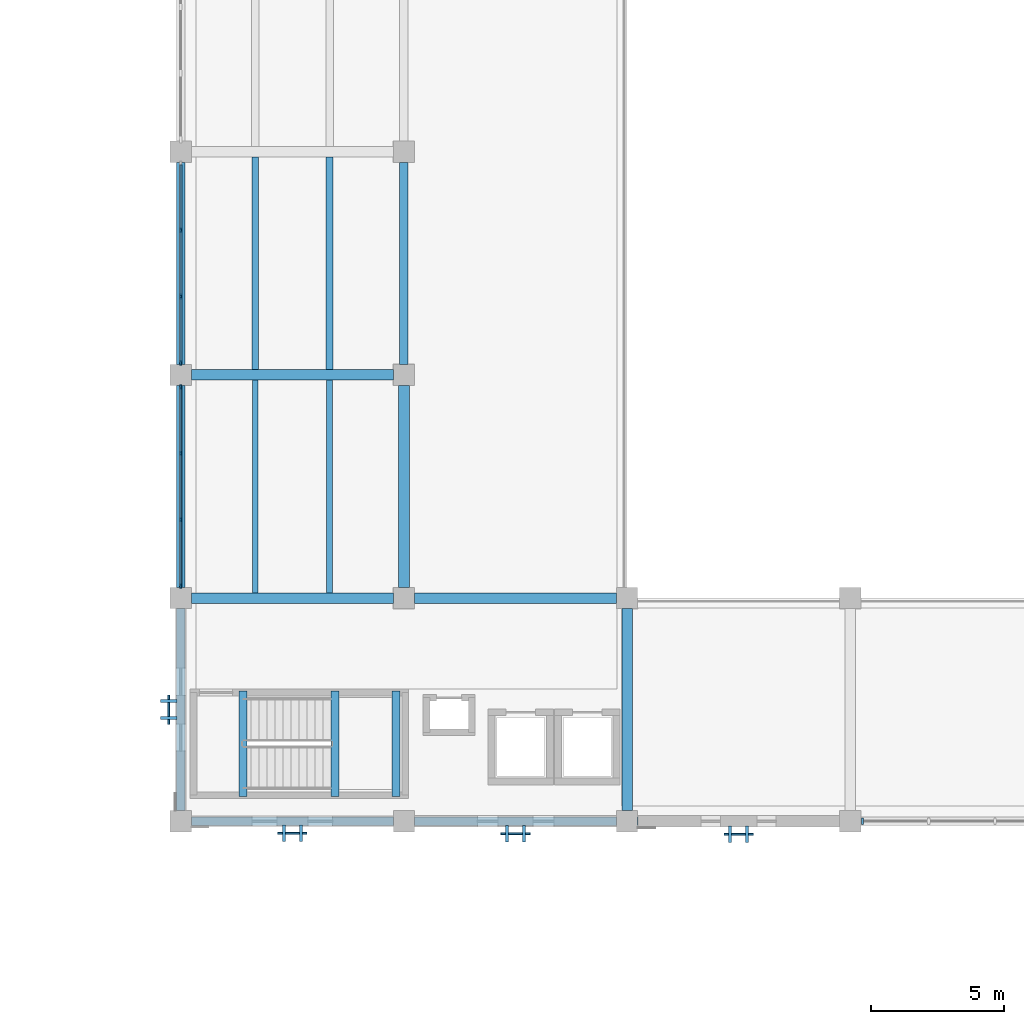
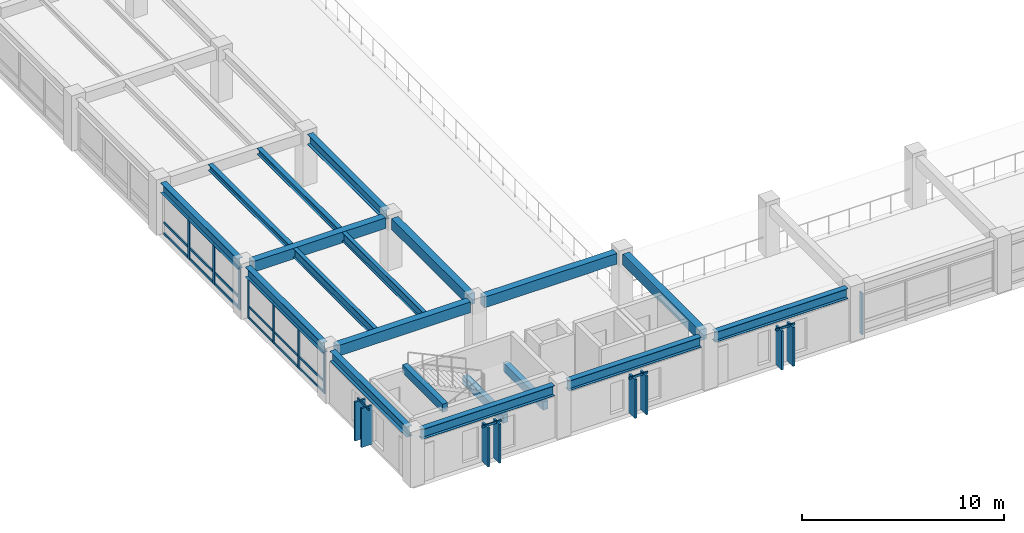
# One storey, part 7 of 123: 38 members, 19 beams, 7 elements without a shape of their own.
"""IFC4 building model written with IfcOpenShell, lengths in metres."""

from ifc_helpers import new_model, si_unit, direction, frame, origin, origin_2d, place, context, subcontext, project, spatial, rectangle, i_section, extrude, material, material_profile, profile_set, type_object, element, aggregate, save


model = new_model("IFC4")

# Units and contexts
model_context = context("Model", 3, precision=1e-05, world=origin(), true_north=direction((0.0, 1.0)))
body_context = subcontext(model_context, "Body", "Model", "MODEL_VIEW")
ifc_project = project(units=[si_unit("LENGTHUNIT", "METRE"), si_unit("AREAUNIT", "SQUARE_METRE"), si_unit("VOLUMEUNIT", "CUBIC_METRE"), si_unit("PLANEANGLEUNIT", "RADIAN"), si_unit("MASSUNIT", "GRAM", prefix="KILO")], contexts=[model_context])

# Site, building, storey
site_placement = place(None, origin())
site = spatial("IfcSite", under=ifc_project, at=site_placement, CompositionType="ELEMENT")
building_placement = place(site_placement, origin())
building = spatial("IfcBuilding", under=site, at=building_placement, Name="Cumbredor Promenade Congress Hotel", CompositionType="ELEMENT")
storey_placement = place(building_placement, frame((0.0, 0.0, 11.760009765625)))
storey = spatial("IfcBuildingStorey", under=building, at=storey_placement, Name="L03", CompositionType="ELEMENT", Elevation=11.760009765625)

# Beams
ifc_material_1 = material(Name="Concrete C40/50", Category="concrete")
ifc_material_profile_1 = material_profile(ifc_material_1, rectangle(XDim=0.39990234375, YDim=0.64990234375, at=origin_2d()), Name="RC BEAM 400x650")
ifc_profile_set_1 = profile_set([ifc_material_profile_1], Name="Concrete C40/50")
beam_type_1 = type_object("IfcBeamType", Name="BM-RC-400x650", PredefinedType="BEAM", material=ifc_profile_set_1)
for number, where, z_axis, x_axis, name in (
    (1, (8.800048828125, 16.800048828125, 2.794921875), (1.0, 0.0, 0.0), (0.0, 1.0, 0.0), "L04 X-Grid Beam 012"),
    (2, (8.800048828125, 25.199951171875, 2.794921875), (1.0, 0.0, 0.0), (0.0, 1.0, 0.0), "L04 X-Grid Beam 014"),
):
    element("IfcBeam", number, at=place(storey_placement, frame(where, z_axis=z_axis, x_axis=x_axis)), inside=storey, type_object=beam_type_1, Name=name, PredefinedType="BEAM", context=body_context, shape_type="SweptSolid", body=[
        extrude(rectangle(XDim=0.39990234375, YDim=0.64990234375, at=origin_2d()), origin(), (0.0, 0.0, 1.0), 7.599853515625),
    ])
for number, where, z_axis, x_axis, name in (
    (3, (17.199951171875, 16.800048828125, 2.794921875), (1.0, 0.0, 0.0), (0.0, 1.0, 0.0), "L04 X-Grid Beam 035"),
    (4, (16.800048828125, 17.199951171875, 2.794921875), (0.0, 1.0, 0.0), (-1.0, 0.0, 0.0), "L04 Y-Grid Beam 036"),
):
    element("IfcBeam", number, at=place(storey_placement, frame(where, z_axis=z_axis, x_axis=x_axis)), inside=storey, type_object=beam_type_1, Name=name, PredefinedType="BEAM", context=body_context, shape_type="SweptSolid", body=[
        extrude(rectangle(XDim=0.39990234375, YDim=0.64990234375, at=origin_2d()), origin(), (0.0, 0.0, 1.0), 7.60009765625),
    ])
beam_1_placement = place(storey_placement, frame((25.199951171875, 8.800048828125, 2.794921875), z_axis=(0.0, 1.0, 0.0), x_axis=(-1.0, 0.0, 0.0)))
element("IfcBeam", 5, at=beam_1_placement, inside=storey, type_object=beam_type_1, Name="L04 Y-Grid Beam 052", PredefinedType="BEAM", context=body_context, shape_type="SweptSolid", body=[
    extrude(rectangle(XDim=0.39990234375, YDim=0.64990234375, at=origin_2d()), origin(), (0.0, 0.0, 1.0), 7.599853515625),
])
ifc_material_2 = material(Name="Steel ASTM A992 Grade 50", Category="steel")
ifc_material_profile_2 = material_profile(ifc_material_2, i_section(OverallWidth=0.323974609375, OverallDepth=0.611083984375, WebThickness=0.0126953125, FlangeThickness=0.01904296875, at=origin_2d()), Name="W24X104")
ifc_profile_set_2 = profile_set([ifc_material_profile_2], Name="Steel ASTM A992 Grade 50")
beam_type_2 = type_object("IfcBeamType", Name="BM-W24X104", PredefinedType="BEAM", material=ifc_profile_set_2)
beam_2_placement = place(storey_placement, frame((8.800048828125, 8.39990234375, 2.814453125), z_axis=(1.0, 0.0, 0.0), x_axis=(0.0, 1.0, 0.0)))
element("IfcBeam", 6, at=beam_2_placement, inside=storey, type_object=beam_type_2, Name="L04 X-Grid Beam 010", PredefinedType="BEAM", context=body_context, shape_type="SweptSolid", body=[
    extrude(i_section(OverallWidth=0.323974609375, OverallDepth=0.611083984375, WebThickness=0.0126953125, FlangeThickness=0.01904296875, at=origin_2d()), origin(), (0.0, 0.0, 1.0), 7.599853515625),
])
beam_3_placement = place(storey_placement, frame((17.199951171875, 8.39990234375, 2.814453125), z_axis=(1.0, 0.0, 0.0), x_axis=(0.0, 1.0, 0.0)))
element("IfcBeam", 7, at=beam_3_placement, inside=storey, type_object=beam_type_2, Name="L04 X-Grid Beam 034", PredefinedType="BEAM", context=body_context, shape_type="SweptSolid", body=[
    extrude(i_section(OverallWidth=0.323974609375, OverallDepth=0.611083984375, WebThickness=0.0126953125, FlangeThickness=0.01904296875, at=origin_2d()), origin(), (0.0, 0.0, 1.0), 7.60009765625),
])
beam_4_placement = place(storey_placement, frame((25.60009765625, 8.39990234375, 2.814453125), z_axis=(1.0, 0.0, 0.0), x_axis=(0.0, 1.0, 0.0)))
element("IfcBeam", 8, at=beam_4_placement, inside=storey, type_object=beam_type_2, Name="L04 X-Grid Beam 051", PredefinedType="BEAM", context=body_context, shape_type="SweptSolid", body=[
    extrude(i_section(OverallWidth=0.323974609375, OverallDepth=0.611083984375, WebThickness=0.0126953125, FlangeThickness=0.01904296875, at=origin_2d()), origin(), (0.0, 0.0, 1.0), 7.599853515625),
])

# Curtain wall, members
ifc_material_3 = material(Name="Thermally broken anodized aluminium and low-E glass", Category="aluminium")
curtain_wall_type_1 = type_object("IfcCurtainWallType", Name="Unitised Bronze Curtain Wall CW-01", PredefinedType="NOTDEFINED", material=ifc_material_3)
curtain_wall_1_placement = place(storey_placement, origin())
curtain_wall_1 = element("IfcCurtainWall", 9, at=curtain_wall_1_placement, inside=storey, type_object=curtain_wall_type_1, Name="L03 Plenary Congress Hall West Curtain Wall 2", PredefinedType="NOTDEFINED")
ifc_material_4 = material(Name="Thermally broken anodized aluminium", Category="aluminium")
ifc_material_profile_3 = material_profile(ifc_material_4, rectangle(XDim=0.06494140625, YDim=0.159912109375, at=origin_2d()), Name="ALU MULLION 65x160")
ifc_profile_set_3 = profile_set([ifc_material_profile_3], Name="Thermally broken anodized aluminium")
member_type_1 = type_object("IfcMemberType", Name="Curtain Wall Mullion ML-01", PredefinedType="MULLION", material=ifc_profile_set_3)
member_1_placement = place(storey_placement, frame((8.39990234375, 17.2548828125, -0.008056640625), z_axis=(0.0, 0.0, 1.0), x_axis=(1.0, 0.0, 0.0)))
member_1 = element("IfcMember", 10, at=member_1_placement, type_object=member_type_1, Name="L03 Plenary Congress Hall West Curtain Wall 2 Mullion 1", PredefinedType="MULLION", context=body_context, shape_type="SweptSolid", body=[
    extrude(rectangle(XDim=0.06494140625, YDim=0.159912109375, at=origin_2d()), origin(), (0.0, 0.0, 1.0), 2.510009765625),
])
member_2_placement = place(storey_placement, frame((8.39990234375, 19.751708984375, -0.008056640625), z_axis=(0.0, 0.0, 1.0), x_axis=(1.0, 0.0, 0.0)))
member_2 = element("IfcMember", 11, at=member_2_placement, type_object=member_type_1, Name="L03 Plenary Congress Hall West Curtain Wall 2 Mullion 2", PredefinedType="MULLION", context=body_context, shape_type="SweptSolid", body=[
    extrude(rectangle(XDim=0.06494140625, YDim=0.159912109375, at=origin_2d()), origin(), (0.0, 0.0, 1.0), 2.510009765625),
])
member_3_placement = place(storey_placement, frame((8.39990234375, 22.248291015625, -0.008056640625), z_axis=(0.0, 0.0, 1.0), x_axis=(1.0, 0.0, 0.0)))
member_3 = element("IfcMember", 12, at=member_3_placement, type_object=member_type_1, Name="L03 Plenary Congress Hall West Curtain Wall 2 Mullion 3", PredefinedType="MULLION", context=body_context, shape_type="SweptSolid", body=[
    extrude(rectangle(XDim=0.06494140625, YDim=0.159912109375, at=origin_2d()), origin(), (0.0, 0.0, 1.0), 2.510009765625),
])
member_4_placement = place(storey_placement, frame((8.39990234375, 24.7451171875, -0.008056640625), z_axis=(0.0, 0.0, 1.0), x_axis=(1.0, 0.0, 0.0)))
member_4 = element("IfcMember", 13, at=member_4_placement, type_object=member_type_1, Name="L03 Plenary Congress Hall West Curtain Wall 2 Mullion 4", PredefinedType="MULLION", context=body_context, shape_type="SweptSolid", body=[
    extrude(rectangle(XDim=0.06494140625, YDim=0.159912109375, at=origin_2d()), origin(), (0.0, 0.0, 1.0), 2.510009765625),
])

curtain_wall_2_placement = place(storey_placement, origin())
curtain_wall_2 = element("IfcCurtainWall", 14, at=curtain_wall_2_placement, inside=storey, type_object=curtain_wall_type_1, Name="L03 Plenary Congress Hall West Curtain Wall 3", PredefinedType="NOTDEFINED")
ifc_material_profile_4 = material_profile(ifc_material_4, rectangle(XDim=0.074951171875, YDim=0.199951171875, at=origin_2d()), Name="ALU MULLION 75x200")
ifc_profile_set_4 = profile_set([ifc_material_profile_4], Name="Thermally broken anodized aluminium")
member_type_2 = type_object("IfcMemberType", Name="Curtain Wall Mullion ML-02", PredefinedType="MULLION", material=ifc_profile_set_4)
member_5_placement = place(storey_placement, frame((8.39990234375, 25.655029296875, -0.008056640625), z_axis=(0.0, 0.0, 1.0), x_axis=(1.0, 0.0, 0.0)))
member_5 = element("IfcMember", 15, at=member_5_placement, type_object=member_type_2, Name="L03 Plenary Congress Hall West Curtain Wall 3 Mullion 1", PredefinedType="MULLION", context=body_context, shape_type="SweptSolid", body=[
    extrude(rectangle(XDim=0.074951171875, YDim=0.199951171875, at=origin_2d()), origin(), (0.0, 0.0, 1.0), 2.510009765625),
])
member_6_placement = place(storey_placement, frame((8.39990234375, 28.151611328125, -0.008056640625), z_axis=(0.0, 0.0, 1.0), x_axis=(1.0, 0.0, 0.0)))
member_6 = element("IfcMember", 16, at=member_6_placement, type_object=member_type_2, Name="L03 Plenary Congress Hall West Curtain Wall 3 Mullion 2", PredefinedType="MULLION", context=body_context, shape_type="SweptSolid", body=[
    extrude(rectangle(XDim=0.074951171875, YDim=0.199951171875, at=origin_2d()), origin(), (0.0, 0.0, 1.0), 2.510009765625),
])
member_7_placement = place(storey_placement, frame((8.39990234375, 30.648193359375, -0.008056640625), z_axis=(0.0, 0.0, 1.0), x_axis=(1.0, 0.0, 0.0)))
member_7 = element("IfcMember", 17, at=member_7_placement, type_object=member_type_2, Name="L03 Plenary Congress Hall West Curtain Wall 3 Mullion 3", PredefinedType="MULLION", context=body_context, shape_type="SweptSolid", body=[
    extrude(rectangle(XDim=0.074951171875, YDim=0.199951171875, at=origin_2d()), origin(), (0.0, 0.0, 1.0), 2.510009765625),
])

# Curtain wall, member
curtain_wall_3_placement = place(storey_placement, origin())
curtain_wall_3 = element("IfcCurtainWall", 18, at=curtain_wall_3_placement, inside=storey, type_object=curtain_wall_type_1, Name="L03 Plenary Congress Hall South Curtain Wall 4", PredefinedType="NOTDEFINED")
ifc_material_profile_5 = material_profile(ifc_material_4, rectangle(XDim=0.080078125, YDim=0.239990234375, at=origin_2d()), Name="ALU MULLION 80x240")
ifc_profile_set_5 = profile_set([ifc_material_profile_5], Name="Thermally broken anodized aluminium")
member_type_3 = type_object("IfcMemberType", Name="Curtain Wall Mullion ML-03", PredefinedType="MULLION", material=ifc_profile_set_5)
member_8_placement = place(storey_placement, frame((34.054931640625, 8.39990234375, -0.008056640625), z_axis=(0.0, 0.0, 1.0), x_axis=(1.0, 0.0, 0.0)))
member_8 = element("IfcMember", 19, at=member_8_placement, type_object=member_type_3, Name="L03 Plenary Congress Hall South Curtain Wall 4 Mullion 1", PredefinedType="MULLION", context=body_context, shape_type="SweptSolid", body=[
    extrude(rectangle(XDim=0.080078125, YDim=0.239990234375, at=origin_2d()), origin(), (0.0, 0.0, 1.0), 2.510009765625),
])
aggregate(curtain_wall_3, [member_8])

curtain_wall_type_2 = type_object("IfcCurtainWallType", Name="Solar Brise-Soleil Screen Assembly CW-07", PredefinedType="NOTDEFINED", material=ifc_material_3)
curtain_wall_4_placement = place(storey_placement, origin())
curtain_wall_4 = element("IfcCurtainWall", 20, at=curtain_wall_4_placement, inside=storey, type_object=curtain_wall_type_2, Name="L03 Pier Brise-Soleil Screen 0520", PredefinedType="NOTDEFINED")
ifc_material_profile_6 = material_profile(ifc_material_4, rectangle(XDim=0.06494140625, YDim=0.1298828125, at=origin_2d()), Name="ALU TRANSOM 65x130")
ifc_profile_set_6 = profile_set([ifc_material_profile_6], Name="Thermally broken anodized aluminium")
member_type_4 = type_object("IfcMemberType", Name="Curtain Wall Transom TR-01", PredefinedType="USERDEFINED", material=ifc_profile_set_6)
member_9_placement = place(storey_placement, frame((12.050048828125, 7.949951171875, 2.333984375), z_axis=(1.0, 0.0, 0.0), x_axis=(0.0, 1.0, 0.0)))
member_9 = element("IfcMember", 21, at=member_9_placement, type_object=member_type_4, Name="L03 Pier Brise-Soleil Header 0522", ObjectType="TRANSOM", PredefinedType="USERDEFINED", context=body_context, shape_type="SweptSolid", body=[
    extrude(rectangle(XDim=0.06494140625, YDim=0.1298828125, at=origin_2d()), origin(), (0.0, 0.0, 1.0), 1.099853515625),
])

curtain_wall_5_placement = place(storey_placement, origin())
curtain_wall_5 = element("IfcCurtainWall", 22, at=curtain_wall_5_placement, inside=storey, type_object=curtain_wall_type_2, Name="L03 Pier Brise-Soleil Screen 0523", PredefinedType="NOTDEFINED")
member_10_placement = place(storey_placement, frame((20.449951171875, 7.927490234375, 2.333984375), z_axis=(1.0, 0.0, 0.0), x_axis=(0.0, 1.0, 0.0)))
member_10 = element("IfcMember", 23, at=member_10_placement, type_object=member_type_4, Name="L03 Pier Brise-Soleil Header 0525", ObjectType="TRANSOM", PredefinedType="USERDEFINED", context=body_context, shape_type="SweptSolid", body=[
    extrude(rectangle(XDim=0.06494140625, YDim=0.1298828125, at=origin_2d()), origin(), (0.0, 0.0, 1.0), 1.10009765625),
])

curtain_wall_6_placement = place(storey_placement, origin())
curtain_wall_6 = element("IfcCurtainWall", 24, at=curtain_wall_6_placement, inside=storey, type_object=curtain_wall_type_2, Name="L03 Pier Brise-Soleil Screen 0526", PredefinedType="NOTDEFINED")
member_11_placement = place(storey_placement, frame((28.85009765625, 7.9150390625, 2.333984375), z_axis=(1.0, 0.0, 0.0), x_axis=(0.0, 1.0, 0.0)))
member_11 = element("IfcMember", 25, at=member_11_placement, type_object=member_type_4, Name="L03 Pier Brise-Soleil Header 0528", ObjectType="TRANSOM", PredefinedType="USERDEFINED", context=body_context, shape_type="SweptSolid", body=[
    extrude(rectangle(XDim=0.06494140625, YDim=0.1298828125, at=origin_2d()), origin(), (0.0, 0.0, 1.0), 1.099853515625),
])

curtain_wall_7_placement = place(storey_placement, origin())
curtain_wall_7 = element("IfcCurtainWall", 26, at=curtain_wall_7_placement, inside=storey, type_object=curtain_wall_type_2, Name="L03 Pier Brise-Soleil Screen 0547", PredefinedType="NOTDEFINED")
member_12_placement = place(storey_placement, frame((7.949951171875, 12.050048828125, 2.333984375), z_axis=(0.0, 1.0, 0.0), x_axis=(-1.0, 0.0, 0.0)))
member_12 = element("IfcMember", 27, at=member_12_placement, type_object=member_type_4, Name="L03 Pier Brise-Soleil Header 0549", ObjectType="TRANSOM", PredefinedType="USERDEFINED", context=body_context, shape_type="SweptSolid", body=[
    extrude(rectangle(XDim=0.06494140625, YDim=0.1298828125, at=origin_2d()), origin(), (0.0, 0.0, 1.0), 1.099853515625),
])

# Member
member_13_placement = place(storey_placement, frame((8.39990234375, 17.28759765625, 0.06005859375), z_axis=(0.0, 1.0, 0.0), x_axis=(-1.0, 0.0, 0.0)))
member_13 = element("IfcMember", 28, at=member_13_placement, type_object=member_type_4, Name="L03 Plenary Congress Hall West Curtain Wall 2 Transom 1.1", ObjectType="TRANSOM", PredefinedType="USERDEFINED", context=body_context, shape_type="SweptSolid", body=[
    extrude(rectangle(XDim=0.06494140625, YDim=0.1298828125, at=origin_2d()), origin(), (0.0, 0.0, 1.0), 2.431640625),
])

member_14_placement = place(storey_placement, frame((8.39990234375, 17.28759765625, 0.719970703125), z_axis=(0.0, 1.0, 0.0), x_axis=(-1.0, 0.0, 0.0)))
member_14 = element("IfcMember", 29, at=member_14_placement, type_object=member_type_4, Name="L03 Plenary Congress Hall West Curtain Wall 2 Transom 1.2", ObjectType="TRANSOM", PredefinedType="USERDEFINED", context=body_context, shape_type="SweptSolid", body=[
    extrude(rectangle(XDim=0.06494140625, YDim=0.1298828125, at=origin_2d()), origin(), (0.0, 0.0, 1.0), 2.431640625),
])

member_15_placement = place(storey_placement, frame((8.39990234375, 17.28759765625, 2.429931640625), z_axis=(0.0, 1.0, 0.0), x_axis=(-1.0, 0.0, 0.0)))
member_15 = element("IfcMember", 30, at=member_15_placement, type_object=member_type_4, Name="L03 Plenary Congress Hall West Curtain Wall 2 Transom 1.3", ObjectType="TRANSOM", PredefinedType="USERDEFINED", context=body_context, shape_type="SweptSolid", body=[
    extrude(rectangle(XDim=0.06494140625, YDim=0.1298828125, at=origin_2d()), origin(), (0.0, 0.0, 1.0), 2.431640625),
])

member_16_placement = place(storey_placement, frame((8.39990234375, 19.7841796875, 0.06005859375), z_axis=(0.0, 1.0, 0.0), x_axis=(-1.0, 0.0, 0.0)))
member_16 = element("IfcMember", 31, at=member_16_placement, type_object=member_type_4, Name="L03 Plenary Congress Hall West Curtain Wall 2 Transom 2.1", ObjectType="TRANSOM", PredefinedType="USERDEFINED", context=body_context, shape_type="SweptSolid", body=[
    extrude(rectangle(XDim=0.06494140625, YDim=0.1298828125, at=origin_2d()), origin(), (0.0, 0.0, 1.0), 2.431640625),
])

member_17_placement = place(storey_placement, frame((8.39990234375, 19.7841796875, 0.719970703125), z_axis=(0.0, 1.0, 0.0), x_axis=(-1.0, 0.0, 0.0)))
member_17 = element("IfcMember", 32, at=member_17_placement, type_object=member_type_4, Name="L03 Plenary Congress Hall West Curtain Wall 2 Transom 2.2", ObjectType="TRANSOM", PredefinedType="USERDEFINED", context=body_context, shape_type="SweptSolid", body=[
    extrude(rectangle(XDim=0.06494140625, YDim=0.1298828125, at=origin_2d()), origin(), (0.0, 0.0, 1.0), 2.431640625),
])

member_18_placement = place(storey_placement, frame((8.39990234375, 19.7841796875, 2.429931640625), z_axis=(0.0, 1.0, 0.0), x_axis=(-1.0, 0.0, 0.0)))
member_18 = element("IfcMember", 33, at=member_18_placement, type_object=member_type_4, Name="L03 Plenary Congress Hall West Curtain Wall 2 Transom 2.3", ObjectType="TRANSOM", PredefinedType="USERDEFINED", context=body_context, shape_type="SweptSolid", body=[
    extrude(rectangle(XDim=0.06494140625, YDim=0.1298828125, at=origin_2d()), origin(), (0.0, 0.0, 1.0), 2.431640625),
])

member_19_placement = place(storey_placement, frame((8.39990234375, 22.28076171875, 0.06005859375), z_axis=(0.0, 1.0, 0.0), x_axis=(-1.0, 0.0, 0.0)))
member_19 = element("IfcMember", 34, at=member_19_placement, type_object=member_type_4, Name="L03 Plenary Congress Hall West Curtain Wall 2 Transom 3.1", ObjectType="TRANSOM", PredefinedType="USERDEFINED", context=body_context, shape_type="SweptSolid", body=[
    extrude(rectangle(XDim=0.06494140625, YDim=0.1298828125, at=origin_2d()), origin(), (0.0, 0.0, 1.0), 2.431640625),
])

member_20_placement = place(storey_placement, frame((8.39990234375, 22.28076171875, 0.719970703125), z_axis=(0.0, 1.0, 0.0), x_axis=(-1.0, 0.0, 0.0)))
member_20 = element("IfcMember", 35, at=member_20_placement, type_object=member_type_4, Name="L03 Plenary Congress Hall West Curtain Wall 2 Transom 3.2", ObjectType="TRANSOM", PredefinedType="USERDEFINED", context=body_context, shape_type="SweptSolid", body=[
    extrude(rectangle(XDim=0.06494140625, YDim=0.1298828125, at=origin_2d()), origin(), (0.0, 0.0, 1.0), 2.431640625),
])

member_21_placement = place(storey_placement, frame((8.39990234375, 22.28076171875, 2.429931640625), z_axis=(0.0, 1.0, 0.0), x_axis=(-1.0, 0.0, 0.0)))
member_21 = element("IfcMember", 36, at=member_21_placement, type_object=member_type_4, Name="L03 Plenary Congress Hall West Curtain Wall 2 Transom 3.3", ObjectType="TRANSOM", PredefinedType="USERDEFINED", context=body_context, shape_type="SweptSolid", body=[
    extrude(rectangle(XDim=0.06494140625, YDim=0.1298828125, at=origin_2d()), origin(), (0.0, 0.0, 1.0), 2.431640625),
])

aggregate(curtain_wall_1, [member_1, member_2, member_3, member_4, member_13, member_14, member_15, member_16, member_17, member_18, member_19, member_20, member_21])

ifc_material_profile_7 = material_profile(ifc_material_4, rectangle(XDim=0.074951171875, YDim=0.14990234375, at=origin_2d()), Name="ALU TRANSOM 75x150")
ifc_profile_set_7 = profile_set([ifc_material_profile_7], Name="Thermally broken anodized aluminium")
member_type_5 = type_object("IfcMemberType", Name="Curtain Wall Transom TR-02", PredefinedType="USERDEFINED", material=ifc_profile_set_7)
member_22_placement = place(storey_placement, frame((8.39990234375, 25.6923828125, 0.070068359375), z_axis=(0.0, 1.0, 0.0), x_axis=(-1.0, 0.0, 0.0)))
member_22 = element("IfcMember", 37, at=member_22_placement, type_object=member_type_5, Name="L03 Plenary Congress Hall West Curtain Wall 3 Transom 1.1", ObjectType="TRANSOM", PredefinedType="USERDEFINED", context=body_context, shape_type="SweptSolid", body=[
    extrude(rectangle(XDim=0.074951171875, YDim=0.14990234375, at=origin_2d()), origin(), (0.0, 0.0, 1.0), 2.421875),
])

member_23_placement = place(storey_placement, frame((8.39990234375, 25.6923828125, 0.719970703125), z_axis=(0.0, 1.0, 0.0), x_axis=(-1.0, 0.0, 0.0)))
member_23 = element("IfcMember", 38, at=member_23_placement, type_object=member_type_5, Name="L03 Plenary Congress Hall West Curtain Wall 3 Transom 1.2", ObjectType="TRANSOM", PredefinedType="USERDEFINED", context=body_context, shape_type="SweptSolid", body=[
    extrude(rectangle(XDim=0.074951171875, YDim=0.14990234375, at=origin_2d()), origin(), (0.0, 0.0, 1.0), 2.421875),
])

member_24_placement = place(storey_placement, frame((8.39990234375, 25.6923828125, 2.419921875), z_axis=(0.0, 1.0, 0.0), x_axis=(-1.0, 0.0, 0.0)))
member_24 = element("IfcMember", 39, at=member_24_placement, type_object=member_type_5, Name="L03 Plenary Congress Hall West Curtain Wall 3 Transom 1.3", ObjectType="TRANSOM", PredefinedType="USERDEFINED", context=body_context, shape_type="SweptSolid", body=[
    extrude(rectangle(XDim=0.074951171875, YDim=0.14990234375, at=origin_2d()), origin(), (0.0, 0.0, 1.0), 2.421875),
])

member_25_placement = place(storey_placement, frame((8.39990234375, 28.189208984375, 0.070068359375), z_axis=(0.0, 1.0, 0.0), x_axis=(-1.0, 0.0, 0.0)))
member_25 = element("IfcMember", 40, at=member_25_placement, type_object=member_type_5, Name="L03 Plenary Congress Hall West Curtain Wall 3 Transom 2.1", ObjectType="TRANSOM", PredefinedType="USERDEFINED", context=body_context, shape_type="SweptSolid", body=[
    extrude(rectangle(XDim=0.074951171875, YDim=0.14990234375, at=origin_2d()), origin(), (0.0, 0.0, 1.0), 2.421630859375),
])

member_26_placement = place(storey_placement, frame((8.39990234375, 28.189208984375, 0.719970703125), z_axis=(0.0, 1.0, 0.0), x_axis=(-1.0, 0.0, 0.0)))
member_26 = element("IfcMember", 41, at=member_26_placement, type_object=member_type_5, Name="L03 Plenary Congress Hall West Curtain Wall 3 Transom 2.2", ObjectType="TRANSOM", PredefinedType="USERDEFINED", context=body_context, shape_type="SweptSolid", body=[
    extrude(rectangle(XDim=0.074951171875, YDim=0.14990234375, at=origin_2d()), origin(), (0.0, 0.0, 1.0), 2.421630859375),
])

member_27_placement = place(storey_placement, frame((8.39990234375, 28.189208984375, 2.419921875), z_axis=(0.0, 1.0, 0.0), x_axis=(-1.0, 0.0, 0.0)))
member_27 = element("IfcMember", 42, at=member_27_placement, type_object=member_type_5, Name="L03 Plenary Congress Hall West Curtain Wall 3 Transom 2.3", ObjectType="TRANSOM", PredefinedType="USERDEFINED", context=body_context, shape_type="SweptSolid", body=[
    extrude(rectangle(XDim=0.074951171875, YDim=0.14990234375, at=origin_2d()), origin(), (0.0, 0.0, 1.0), 2.421630859375),
])

member_28_placement = place(storey_placement, frame((8.39990234375, 30.685791015625, 0.070068359375), z_axis=(0.0, 1.0, 0.0), x_axis=(-1.0, 0.0, 0.0)))
member_28 = element("IfcMember", 43, at=member_28_placement, type_object=member_type_5, Name="L03 Plenary Congress Hall West Curtain Wall 3 Transom 3.1", ObjectType="TRANSOM", PredefinedType="USERDEFINED", context=body_context, shape_type="SweptSolid", body=[
    extrude(rectangle(XDim=0.074951171875, YDim=0.14990234375, at=origin_2d()), origin(), (0.0, 0.0, 1.0), 2.421630859375),
])

member_29_placement = place(storey_placement, frame((8.39990234375, 30.685791015625, 0.719970703125), z_axis=(0.0, 1.0, 0.0), x_axis=(-1.0, 0.0, 0.0)))
member_29 = element("IfcMember", 44, at=member_29_placement, type_object=member_type_5, Name="L03 Plenary Congress Hall West Curtain Wall 3 Transom 3.2", ObjectType="TRANSOM", PredefinedType="USERDEFINED", context=body_context, shape_type="SweptSolid", body=[
    extrude(rectangle(XDim=0.074951171875, YDim=0.14990234375, at=origin_2d()), origin(), (0.0, 0.0, 1.0), 2.421630859375),
])

member_30_placement = place(storey_placement, frame((8.39990234375, 30.685791015625, 2.419921875), z_axis=(0.0, 1.0, 0.0), x_axis=(-1.0, 0.0, 0.0)))
member_30 = element("IfcMember", 45, at=member_30_placement, type_object=member_type_5, Name="L03 Plenary Congress Hall West Curtain Wall 3 Transom 3.3", ObjectType="TRANSOM", PredefinedType="USERDEFINED", context=body_context, shape_type="SweptSolid", body=[
    extrude(rectangle(XDim=0.074951171875, YDim=0.14990234375, at=origin_2d()), origin(), (0.0, 0.0, 1.0), 2.421630859375),
])

aggregate(curtain_wall_2, [member_5, member_6, member_7, member_22, member_23, member_24, member_25, member_26, member_27, member_28, member_29, member_30])

# Beams
ifc_material_profile_8 = material_profile(ifc_material_2, i_section(OverallWidth=0.2548828125, OverallDepth=0.35693359375, WebThickness=0.010498046875, FlangeThickness=0.018310546875, at=origin_2d()), Name="W14X68")
ifc_profile_set_8 = profile_set([ifc_material_profile_8], Name="Steel ASTM A992 Grade 50")
beam_type_3 = type_object("IfcBeamType", Name="JST-W14X68", PredefinedType="JOIST", material=ifc_profile_set_8)
for number, where, z_axis, x_axis, name in (
    (46, (11.199951171875, 25.39990234375, 2.94140625), (0.0, 1.0, 0.0), (-1.0, 0.0, 0.0), "L04 Secondary Floor Joist 0011"),
    (47, (14.0, 25.39990234375, 2.94140625), (0.0, 1.0, 0.0), (-1.0, 0.0, 0.0), "L04 Secondary Floor Joist 0012"),
):
    element("IfcBeam", number, at=place(storey_placement, frame(where, z_axis=z_axis, x_axis=x_axis)), inside=storey, type_object=beam_type_3, Name=name, PredefinedType="JOIST", context=body_context, shape_type="SweptSolid", body=[
        extrude(i_section(OverallWidth=0.2548828125, OverallDepth=0.35693359375, WebThickness=0.010498046875, FlangeThickness=0.018310546875, at=origin_2d()), origin(), (0.0, 0.0, 1.0), 8.0),
    ])
ifc_material_profile_9 = material_profile(ifc_material_2, i_section(OverallWidth=0.214111328125, OverallDepth=0.549072265625, WebThickness=0.0146484375, FlangeThickness=0.023681640625, at=origin_2d()), Name="W21X93")
ifc_profile_set_9 = profile_set([ifc_material_profile_9], Name="Steel ASTM A992 Grade 50")
beam_type_4 = type_object("IfcBeamType", Name="JST-W21X93", PredefinedType="JOIST", material=ifc_profile_set_9)
for number, where, z_axis, x_axis, name in (
    (48, (11.199951171875, 17.0, 2.845458984375), (0.0, 1.0, 0.0), (-1.0, 0.0, 0.0), "L04 Secondary Floor Joist 0009"),
    (49, (14.0, 17.0, 2.845458984375), (0.0, 1.0, 0.0), (-1.0, 0.0, 0.0), "L04 Secondary Floor Joist 0010"),
):
    element("IfcBeam", number, at=place(storey_placement, frame(where, z_axis=z_axis, x_axis=x_axis)), inside=storey, type_object=beam_type_4, Name=name, PredefinedType="JOIST", context=body_context, shape_type="SweptSolid", body=[
        extrude(i_section(OverallWidth=0.214111328125, OverallDepth=0.549072265625, WebThickness=0.0146484375, FlangeThickness=0.023681640625, at=origin_2d()), origin(), (0.0, 0.0, 1.0), 8.0),
    ])
ifc_material_profile_10 = material_profile(ifc_material_1, rectangle(XDim=0.300048828125, YDim=0.5, at=origin_2d()), Name="RC LINTEL 300x500")
ifc_profile_set_10 = profile_set([ifc_material_profile_10], Name="Concrete C40/50")
beam_type_5 = type_object("IfcBeamType", Name="LN-RC-300x500", PredefinedType="LINTEL", material=ifc_profile_set_10)
for number, where, z_axis, x_axis, name in (
    (50, (16.5, 9.330078125, 1.22998046875), (0.0, 1.0, 0.0), (-1.0, 0.0, 0.0), "L03 Stair ST-04 Landing Ledger Beam E"),
    (51, (14.199951171875, 9.330078125, 1.22998046875), (0.0, 1.0, 0.0), (-1.0, 0.0, 0.0), "L03 Stair ST-04 Landing Ledger Beam W"),
    (52, (10.75, 9.330078125, 3.110107421875), (0.0, 1.0, 0.0), (-1.0, 0.0, 0.0), "L04 Stair ST-04 Well Header Trimmer Beam"),
):
    element("IfcBeam", number, at=place(storey_placement, frame(where, z_axis=z_axis, x_axis=x_axis)), inside=storey, type_object=beam_type_5, Name=name, PredefinedType="LINTEL", context=body_context, shape_type="SweptSolid", body=[
        extrude(rectangle(XDim=0.300048828125, YDim=0.5, at=origin_2d()), origin(), (0.0, 0.0, 1.0), 3.969970703125),
    ])
ifc_material_profile_11 = material_profile(ifc_material_2, i_section(OverallWidth=0.323974609375, OverallDepth=0.611083984375, WebThickness=0.0126953125, FlangeThickness=0.01904296875, at=origin_2d()), Name="W24X104")
ifc_profile_set_11 = profile_set([ifc_material_profile_11], Name="Steel ASTM A992 Grade 50")
beam_type_6 = type_object("IfcBeamType", Name="SP-W24X104", PredefinedType="SPANDREL", material=ifc_profile_set_11)
beam_5_placement = place(storey_placement, frame((8.39990234375, 8.800048828125, 2.814453125), z_axis=(0.0, 1.0, 0.0), x_axis=(-1.0, 0.0, 0.0)))
element("IfcBeam", 53, at=beam_5_placement, inside=storey, type_object=beam_type_6, Name="L04 Y-Grid Beam 011", PredefinedType="SPANDREL", context=body_context, shape_type="SweptSolid", body=[
    extrude(i_section(OverallWidth=0.323974609375, OverallDepth=0.611083984375, WebThickness=0.0126953125, FlangeThickness=0.01904296875, at=origin_2d()), origin(), (0.0, 0.0, 1.0), 7.599853515625),
])
beam_6_placement = place(storey_placement, frame((8.39990234375, 17.199951171875, 2.814453125), z_axis=(0.0, 1.0, 0.0), x_axis=(-1.0, 0.0, 0.0)))
element("IfcBeam", 54, at=beam_6_placement, inside=storey, type_object=beam_type_6, Name="L04 Y-Grid Beam 013", PredefinedType="SPANDREL", context=body_context, shape_type="SweptSolid", body=[
    extrude(i_section(OverallWidth=0.323974609375, OverallDepth=0.611083984375, WebThickness=0.0126953125, FlangeThickness=0.01904296875, at=origin_2d()), origin(), (0.0, 0.0, 1.0), 7.60009765625),
])
for number, where, z_axis, x_axis, name in (
    (55, (8.39990234375, 25.60009765625, 2.814453125), (0.0, 1.0, 0.0), (-1.0, 0.0, 0.0), "L04 Y-Grid Beam 015"),
    (56, (16.800048828125, 25.60009765625, 2.814453125), (0.0, 1.0, 0.0), (-1.0, 0.0, 0.0), "L04 Y-Grid Beam 037"),
):
    element("IfcBeam", number, at=place(storey_placement, frame(where, z_axis=z_axis, x_axis=x_axis)), inside=storey, type_object=beam_type_6, Name=name, PredefinedType="SPANDREL", context=body_context, shape_type="SweptSolid", body=[
        extrude(i_section(OverallWidth=0.323974609375, OverallDepth=0.611083984375, WebThickness=0.0126953125, FlangeThickness=0.01904296875, at=origin_2d()), origin(), (0.0, 0.0, 1.0), 7.599853515625),
    ])

# Member
ifc_material_profile_12 = material_profile(ifc_material_4, rectangle(XDim=0.110107421875, YDim=0.6201171875, at=origin_2d()), Name="ARCH FIN 110x620")
ifc_profile_set_12 = profile_set([ifc_material_profile_12], Name="Thermally broken anodized aluminium")
member_type_6 = type_object("IfcMemberType", Name="Vertical Bronze Brise-Soleil Fin BSF-02 110x620", PredefinedType="USERDEFINED", material=ifc_profile_set_12)
member_31_placement = place(storey_placement, frame((12.280029296875, 7.949951171875, 0.02001953125), z_axis=(0.0, 0.0, 1.0), x_axis=(1.0, 0.0, 0.0)))
member_31 = element("IfcMember", 57, at=member_31_placement, type_object=member_type_6, Name="L03 Pier Brise-Soleil Fin 0521", ObjectType="SOLAR FIN", PredefinedType="USERDEFINED", context=body_context, shape_type="SweptSolid", body=[
    extrude(rectangle(XDim=0.110107421875, YDim=0.6201171875, at=origin_2d()), origin(), (0.0, 0.0, 1.0), 2.35400390625),
])

member_32_placement = place(storey_placement, frame((12.919921875, 7.949951171875, 0.02001953125), z_axis=(0.0, 0.0, 1.0), x_axis=(1.0, 0.0, 0.0)))
member_32 = element("IfcMember", 58, at=member_32_placement, type_object=member_type_6, Name="L03 Pier Brise-Soleil Fin 0522", ObjectType="SOLAR FIN", PredefinedType="USERDEFINED", context=body_context, shape_type="SweptSolid", body=[
    extrude(rectangle(XDim=0.110107421875, YDim=0.6201171875, at=origin_2d()), origin(), (0.0, 0.0, 1.0), 2.35400390625),
])

aggregate(curtain_wall_4, [member_31, member_32, member_9])

member_33_placement = place(storey_placement, frame((20.679931640625, 7.927490234375, 0.02001953125), z_axis=(0.0, 0.0, 1.0), x_axis=(1.0, 0.0, 0.0)))
member_33 = element("IfcMember", 59, at=member_33_placement, type_object=member_type_6, Name="L03 Pier Brise-Soleil Fin 0524", ObjectType="SOLAR FIN", PredefinedType="USERDEFINED", context=body_context, shape_type="SweptSolid", body=[
    extrude(rectangle(XDim=0.110107421875, YDim=0.6201171875, at=origin_2d()), origin(), (0.0, 0.0, 1.0), 2.35400390625),
])

member_34_placement = place(storey_placement, frame((21.320068359375, 7.927490234375, 0.02001953125), z_axis=(0.0, 0.0, 1.0), x_axis=(1.0, 0.0, 0.0)))
member_34 = element("IfcMember", 60, at=member_34_placement, type_object=member_type_6, Name="L03 Pier Brise-Soleil Fin 0525", ObjectType="SOLAR FIN", PredefinedType="USERDEFINED", context=body_context, shape_type="SweptSolid", body=[
    extrude(rectangle(XDim=0.110107421875, YDim=0.6201171875, at=origin_2d()), origin(), (0.0, 0.0, 1.0), 2.35400390625),
])

aggregate(curtain_wall_5, [member_33, member_34, member_10])

member_35_placement = place(storey_placement, frame((29.080078125, 7.9150390625, 0.02001953125), z_axis=(0.0, 0.0, 1.0), x_axis=(1.0, 0.0, 0.0)))
member_35 = element("IfcMember", 61, at=member_35_placement, type_object=member_type_6, Name="L03 Pier Brise-Soleil Fin 0527", ObjectType="SOLAR FIN", PredefinedType="USERDEFINED", context=body_context, shape_type="SweptSolid", body=[
    extrude(rectangle(XDim=0.110107421875, YDim=0.6201171875, at=origin_2d()), origin(), (0.0, 0.0, 1.0), 2.35400390625),
])

member_36_placement = place(storey_placement, frame((29.719970703125, 7.9150390625, 0.02001953125), z_axis=(0.0, 0.0, 1.0), x_axis=(1.0, 0.0, 0.0)))
member_36 = element("IfcMember", 62, at=member_36_placement, type_object=member_type_6, Name="L03 Pier Brise-Soleil Fin 0528", ObjectType="SOLAR FIN", PredefinedType="USERDEFINED", context=body_context, shape_type="SweptSolid", body=[
    extrude(rectangle(XDim=0.110107421875, YDim=0.6201171875, at=origin_2d()), origin(), (0.0, 0.0, 1.0), 2.35400390625),
])

aggregate(curtain_wall_6, [member_35, member_36, member_11])

member_37_placement = place(storey_placement, frame((7.949951171875, 12.280029296875, 0.02001953125), z_axis=(0.0, 0.0, 1.0), x_axis=(0.0, 1.0, 0.0)))
member_37 = element("IfcMember", 63, at=member_37_placement, type_object=member_type_6, Name="L03 Pier Brise-Soleil Fin 0548", ObjectType="SOLAR FIN", PredefinedType="USERDEFINED", context=body_context, shape_type="SweptSolid", body=[
    extrude(rectangle(XDim=0.110107421875, YDim=0.6201171875, at=origin_2d()), origin(), (0.0, 0.0, 1.0), 2.35400390625),
])

member_38_placement = place(storey_placement, frame((7.949951171875, 12.919921875, 0.02001953125), z_axis=(0.0, 0.0, 1.0), x_axis=(0.0, 1.0, 0.0)))
member_38 = element("IfcMember", 64, at=member_38_placement, type_object=member_type_6, Name="L03 Pier Brise-Soleil Fin 0549", ObjectType="SOLAR FIN", PredefinedType="USERDEFINED", context=body_context, shape_type="SweptSolid", body=[
    extrude(rectangle(XDim=0.110107421875, YDim=0.6201171875, at=origin_2d()), origin(), (0.0, 0.0, 1.0), 2.35400390625),
])

aggregate(curtain_wall_7, [member_37, member_38, member_12])

save(model, "model.ifc")
